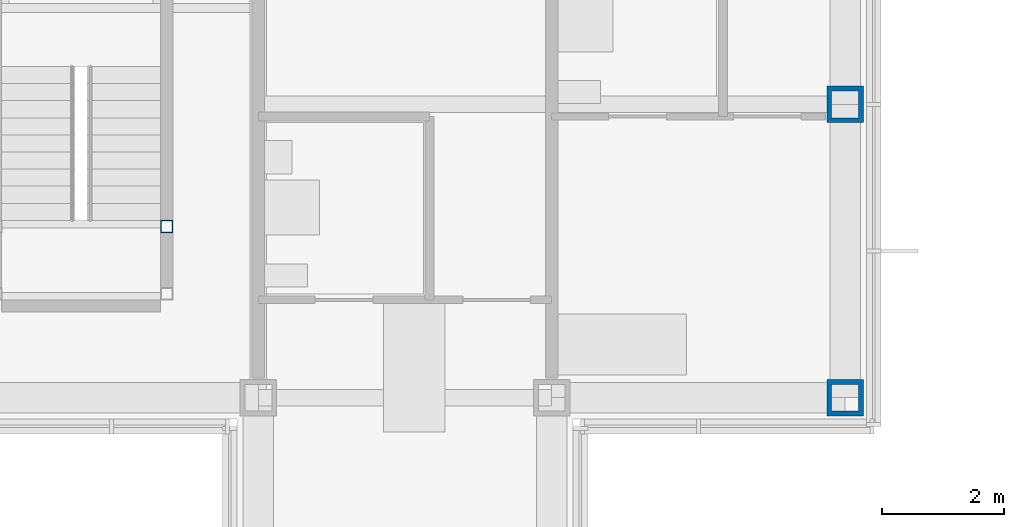
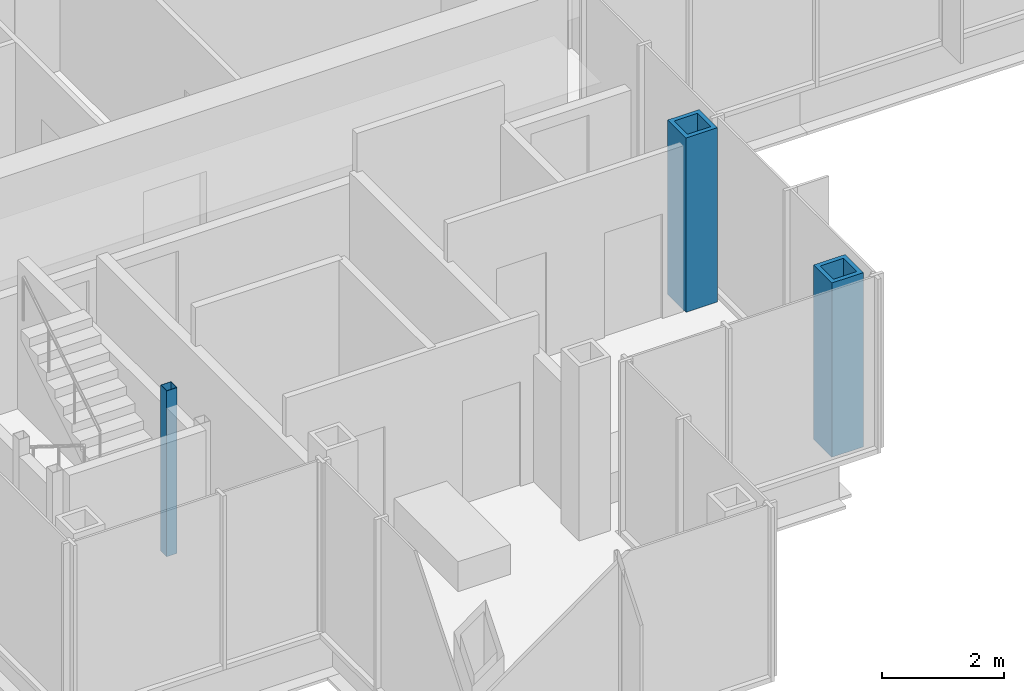
# One storey, part 2 of 17: 3 columns.
"""IFC4 building model written with IfcOpenShell, lengths in metres."""

from ifc_helpers import new_model, si_unit, direction, frame, origin, origin_2d, place, context, subcontext, project, spatial, hollow_rectangle, extrude, material, material_profile, profile_set, type_object, element, save


model = new_model("IFC4")

# Units and contexts
model_context = context("Model", 3, precision=1e-05, world=origin(), true_north=direction((0.0, 1.0)))
body_context = subcontext(model_context, "Body", "Model", "MODEL_VIEW")
ifc_project = project(units=[si_unit("LENGTHUNIT", "METRE"), si_unit("AREAUNIT", "SQUARE_METRE"), si_unit("VOLUMEUNIT", "CUBIC_METRE"), si_unit("PLANEANGLEUNIT", "RADIAN"), si_unit("MASSUNIT", "GRAM", prefix="KILO")], contexts=[model_context])

# Site, building, storey
site_placement = place(None, origin())
site = spatial("IfcSite", under=ifc_project, at=site_placement, CompositionType="ELEMENT")
building_placement = place(site_placement, origin())
building = spatial("IfcBuilding", under=site, at=building_placement, Name="Kvirike Care Tower", CompositionType="ELEMENT")
storey_placement = place(building_placement, frame((0.0, 0.0, 176.0)))
storey = spatial("IfcBuildingStorey", under=building, at=storey_placement, Name="L48", CompositionType="ELEMENT", Elevation=176.0)

# Columns
ifc_material_1 = material(Name="Steel S460", Category="steel")
ifc_material_profile_1 = material_profile(ifc_material_1, hollow_rectangle(XDim=0.60009765625, YDim=0.60009765625, WallThickness=0.080078125, at=origin_2d()), Name="BX 600x600x80")
ifc_profile_set_1 = profile_set([ifc_material_profile_1], Name="Steel S460")
column_type_1 = type_object("IfcColumnType", Name="COLUMN BX 600x600x80", PredefinedType="COLUMN", material=ifc_profile_set_1)
for number, where, z_axis, x_axis, name in (
    (1, (28.800048828125, 19.199951171875, 0.0), (0.0, 0.0, 1.0), (0.0, 1.0, 0.0), "Column E9 L48"),
    (2, (28.800048828125, 24.0, 0.0), (0.0, 0.0, 1.0), (1.0, 0.0, 0.0), "Column F9 L48"),
):
    element("IfcColumn", number, at=place(storey_placement, frame(where, z_axis=z_axis, x_axis=x_axis)), inside=storey, type_object=column_type_1, Name=name, PredefinedType="COLUMN", context=body_context, shape_type="SweptSolid", body=[
        extrude(hollow_rectangle(XDim=0.60009765625, YDim=0.60009765625, WallThickness=0.080078125, at=origin_2d()), origin(), (0.0, 0.0, 1.0), 3.5),
    ])
ifc_material_2 = material(Name="Steel S460", Category="steel")
ifc_material_profile_2 = material_profile(ifc_material_2, hollow_rectangle(XDim=0.199951171875, YDim=0.199951171875, WallThickness=0.008056640625, at=origin_2d()), Name="SHS 200x200x8")
ifc_profile_set_2 = profile_set([ifc_material_profile_2], Name="Steel S460")
column_type_2 = type_object("IfcColumnType", Name="STAIR POST SHS 200x200x8", PredefinedType="COLUMN", material=ifc_profile_set_2)
column_placement = place(storey_placement, frame((17.699951171875, 22.0, 0.0), z_axis=(0.0, 0.0, 1.0), x_axis=(1.0, 0.0, 0.0)))
element("IfcColumn", 3, at=column_placement, inside=storey, type_object=column_type_2, Name="Stair 5 post 4 L48", PredefinedType="COLUMN", context=body_context, shape_type="SweptSolid", body=[
    extrude(hollow_rectangle(XDim=0.199951171875, YDim=0.199951171875, WallThickness=0.008056640625, at=origin_2d()), origin(), (0.0, 0.0, 1.0), 3.330078125),
])

save(model, "model.ifc")
